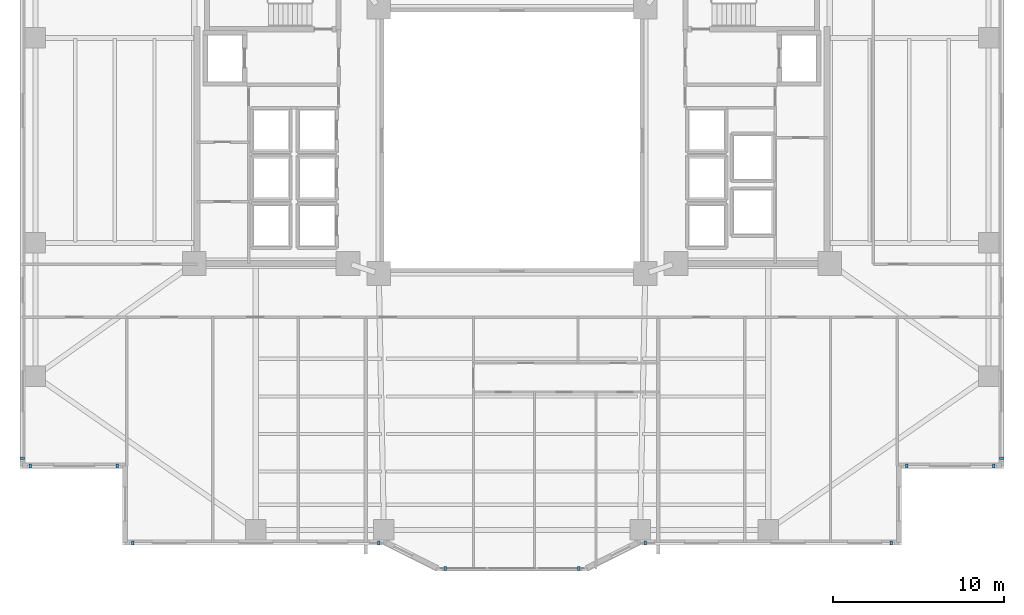
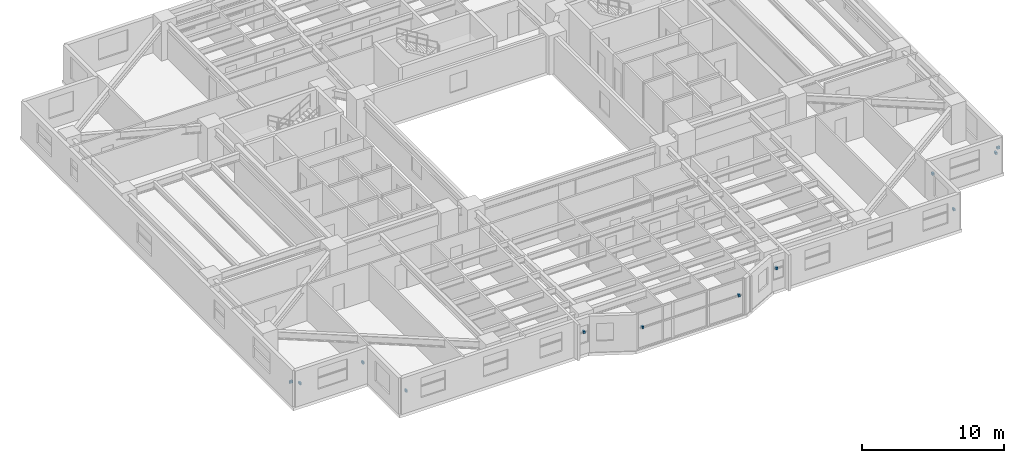
# One storey, part 15 of 19: 12 discrete accessories.
"""IFC4 building model written with IfcOpenShell, lengths in metres."""

from ifc_helpers import new_model, si_unit, direction, frame, origin, origin_2d, place, context, subcontext, project, spatial, rectangle, extrude, material, type_object, element, save


model = new_model("IFC4")

# Units and contexts
model_context = context("Model", 3, precision=1e-05, world=origin(), true_north=direction((0.0, 1.0)))
body_context = subcontext(model_context, "Body", "Model", "MODEL_VIEW")
ifc_project = project(units=[si_unit("LENGTHUNIT", "METRE"), si_unit("AREAUNIT", "SQUARE_METRE"), si_unit("VOLUMEUNIT", "CUBIC_METRE"), si_unit("PLANEANGLEUNIT", "RADIAN"), si_unit("MASSUNIT", "GRAM", prefix="KILO")], contexts=[model_context])

# Site, building, storey
site_placement = place(None, origin())
site = spatial("IfcSite", under=ifc_project, at=site_placement, CompositionType="ELEMENT")
building_placement = place(site_placement, origin())
building = spatial("IfcBuilding", under=site, at=building_placement, Name="Tarnavaz Court Tower", CompositionType="ELEMENT")
storey_placement = place(building_placement, frame((0.0, 0.0, 54.14990234375)))
storey = spatial("IfcBuildingStorey", under=building, at=storey_placement, Name="L14", CompositionType="ELEMENT", Elevation=54.14990234375)

# Discrete accessories
ifc_material = material(Name="Anodised Aluminium 6063-T6", Category="aluminium")
discrete_accessory_type = type_object("IfcDiscreteAccessoryType", Name="DA-BRKT-ALU", PredefinedType="BRACKET", material=ifc_material)
for number, where, z_axis, x_axis, name in (
    (1, (-23.10009765625, -19.070068359375, 1.75), (0.0, 0.0, 1.0), (-1.0, 0.0, 0.0), "L14 Baguette Outrigger Bracket FBG01-1"),
    (2, (-28.199951171875, -19.070068359375, 1.75), (0.0, 0.0, 1.0), (-1.0, 0.0, 0.0), "L14 Baguette Outrigger Bracket FBG01-2"),
    (3, (-28.669921875, -18.60009765625, 1.75), (0.0, 0.0, 1.0), (0.0, 1.0, 0.0), "L14 Baguette Outrigger Bracket FBG02-1"),
    (4, (28.669921875, -18.60009765625, 1.75), (0.0, 0.0, 1.0), (0.0, -1.0, 0.0), "L14 Baguette Outrigger Bracket FBG12-2"),
    (5, (28.199951171875, -19.070068359375, 1.75), (0.0, 0.0, 1.0), (-1.0, 0.0, 0.0), "L14 Baguette Outrigger Bracket FBG13-1"),
    (6, (23.10009765625, -19.070068359375, 1.75), (0.0, 0.0, 1.0), (-1.0, 0.0, 0.0), "L14 Baguette Outrigger Bracket FBG13-2"),
    (7, (22.199951171875, -23.570068359375, 1.75), (0.0, 0.0, 1.0), (-1.0, 0.0, 0.0), "L14 Baguette Outrigger Bracket FBG15-1"),
    (8, (7.800048828125, -23.570068359375, 1.75), (0.0, 0.0, 1.0), (-1.0, 0.0, 0.0), "L14 Baguette Outrigger Bracket FBG15-2"),
    (9, (3.89990234375, -25.070068359375, 1.7001953125), (0.0, 0.0, 1.0), (-1.0, 0.0, 0.0), "L14 Baguette Outrigger Bracket PBG17-1"),
    (10, (-3.89990234375, -25.070068359375, 1.7001953125), (0.0, 0.0, 1.0), (-1.0, 0.0, 0.0), "L14 Baguette Outrigger Bracket PBG17-2"),
    (11, (-7.800048828125, -23.570068359375, 1.75), (0.0, 0.0, 1.0), (-1.0, 0.0, 0.0), "L14 Baguette Outrigger Bracket FBG19-1"),
    (12, (-22.199951171875, -23.570068359375, 1.75), (0.0, 0.0, 1.0), (-1.0, 0.0, 0.0), "L14 Baguette Outrigger Bracket FBG19-2"),
):
    element("IfcDiscreteAccessory", number, at=place(storey_placement, frame(where, z_axis=z_axis, x_axis=x_axis)), inside=storey, type_object=discrete_accessory_type, Name=name, PredefinedType="BRACKET", context=body_context, shape_type="SweptSolid", body=[
        extrude(rectangle(XDim=0.139892578125, YDim=0.239990234375, at=origin_2d()), origin(), (0.0, 0.0, 1.0), 0.199951171875),
    ])

save(model, "model.ifc")
